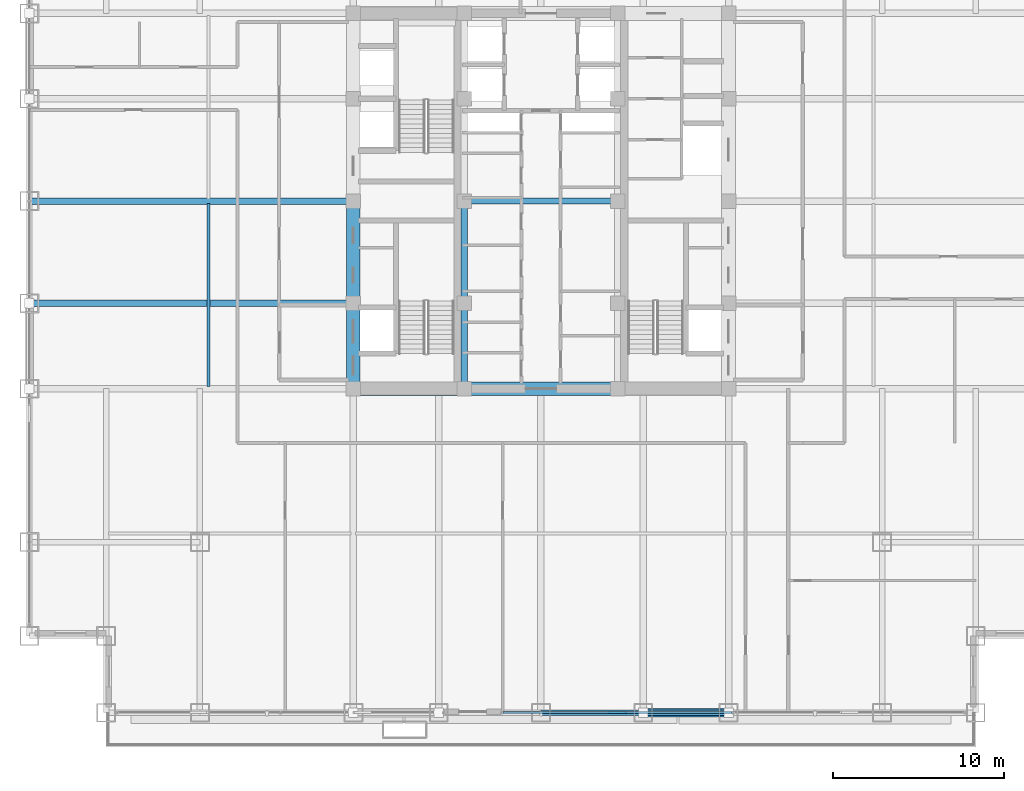
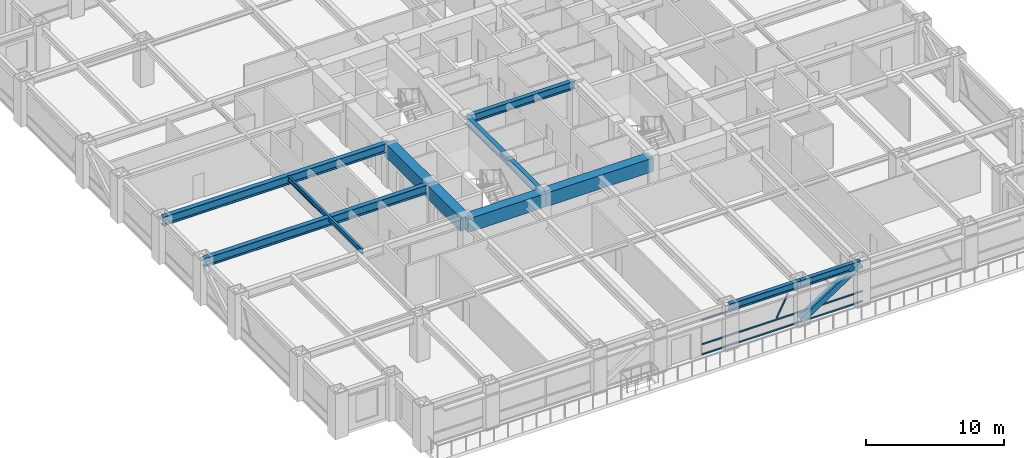
# One storey, part 8 of 35: 12 beams, 5 members, 1 element without a shape of its own.
"""IFC4 building model written with IfcOpenShell, lengths in metres."""

from ifc_helpers import new_model, si_unit, direction, frame, origin, origin_2d, place, context, subcontext, project, spatial, rectangle, hollow_rectangle, i_section, extrude, source, transform, mapped, material, material_profile, profile_set, type_object, element, aggregate, save


model = new_model("IFC4")

# Units and contexts
model_context = context("Model", 3, precision=1e-05, world=origin(), true_north=direction((0.0, 1.0)))
body_context = subcontext(model_context, "Body", "Model", "MODEL_VIEW")
ifc_project = project(units=[si_unit("LENGTHUNIT", "METRE"), si_unit("AREAUNIT", "SQUARE_METRE"), si_unit("VOLUMEUNIT", "CUBIC_METRE"), si_unit("PLANEANGLEUNIT", "RADIAN"), si_unit("MASSUNIT", "GRAM", prefix="KILO")], contexts=[model_context])

# Site, building, storey
site_placement = place(None, origin())
site = spatial("IfcSite", under=ifc_project, at=site_placement, CompositionType="ELEMENT")
building_placement = place(site_placement, origin())
building = spatial("IfcBuilding", under=site, at=building_placement, Name="Khorayat Bourse Tower", CompositionType="ELEMENT")
storey_placement = place(building_placement, frame((0.0, 0.0, 155.10009765625)))
storey = spatial("IfcBuildingStorey", under=building, at=storey_placement, Name="L35", CompositionType="ELEMENT", Elevation=155.10009765625)

# Beams
ifc_material_1 = material(Name="Concrete C72/90", Category="concrete")
ifc_material_profile_1 = material_profile(ifc_material_1, rectangle(XDim=0.800048828125, YDim=1.199951171875, at=origin_2d()), Name="RC 800x1200")
ifc_profile_set_1 = profile_set([ifc_material_profile_1], Name="Concrete C72/90")
beam_type_1 = type_object("IfcBeamType", Name="BM-COUP-1200", PredefinedType="BEAM", material=ifc_profile_set_1)
shared_shape_1 = source(origin(), body_context, "Body", "SweptSolid", [
    extrude(rectangle(XDim=0.800048828125, YDim=1.199951171875, at=origin_2d()), origin(), (0.0, 0.0, 1.0), 5.0),
])
beam_1_placement = place(storey_placement, frame((-11.0, -11.0, 3.179931640625), z_axis=(0.0, 1.0, 0.0), x_axis=(-1.0, 0.0, 0.0)))
element("IfcBeam", 1, at=beam_1_placement, inside=storey, type_object=beam_type_1, Name="L35 BM-COUP-1200 BM-L35-CRX-01", PredefinedType="BEAM", context=body_context, shape_type="MappedRepresentation", body=[
    mapped(shared_shape_1, transform((0.0, 0.0, 0.0), scale=1.0)),
])
shared_shape_2 = source(origin(), body_context, "Body", "SweptSolid", [
    extrude(rectangle(XDim=0.800048828125, YDim=1.199951171875, at=origin_2d()), origin(), (0.0, 0.0, 1.0), 6.0),
])
beam_2_placement = place(storey_placement, frame((-11.0, -6.0, 3.179931640625), z_axis=(0.0, 1.0, 0.0), x_axis=(-1.0, 0.0, 0.0)))
element("IfcBeam", 2, at=beam_2_placement, inside=storey, type_object=beam_type_1, Name="L35 BM-COUP-1200 BM-L35-CRX-02", PredefinedType="BEAM", context=body_context, shape_type="MappedRepresentation", body=[
    mapped(shared_shape_2, transform((0.0, 0.0, 0.0), scale=1.0)),
])
ifc_material_2 = material(Name="Steel ASTM A992 Grade 50", Category="steel")
ifc_material_profile_2 = material_profile(ifc_material_2, i_section(OverallWidth=0.35498046875, OverallDepth=0.695068359375, WebThickness=0.015380859375, FlangeThickness=0.02490234375, FilletRadius=0.01806640625, at=origin_2d()), Name="W690X217")
ifc_profile_set_2 = profile_set([ifc_material_profile_2], Name="Steel ASTM A992 Grade 50")
beam_type_2 = type_object("IfcBeamType", Name="BM-GIRD-690", PredefinedType="BEAM", material=ifc_profile_set_2)
shared_shape_3 = source(origin(), body_context, "Body", "SweptSolid", [
    extrude(i_section(OverallWidth=0.35498046875, OverallDepth=0.695068359375, WebThickness=0.015380859375, FlangeThickness=0.02490234375, FilletRadius=0.01806640625, at=origin_2d()), origin(), (0.0, 0.0, 1.0), 5.0),
])
beam_3_placement = place(storey_placement, frame((-4.5, -11.0, 3.432373046875), z_axis=(0.0, 1.0, 0.0), x_axis=(-1.0, 0.0, 0.0)))
element("IfcBeam", 3, at=beam_3_placement, inside=storey, type_object=beam_type_2, Name="L35 BM-GIRD-690 BM-L35-CRX-05", PredefinedType="BEAM", context=body_context, shape_type="MappedRepresentation", body=[
    mapped(shared_shape_3, transform((0.0, 0.0, 0.0), scale=1.0)),
])
shared_shape_4 = source(origin(), body_context, "Body", "SweptSolid", [
    extrude(i_section(OverallWidth=0.35498046875, OverallDepth=0.695068359375, WebThickness=0.015380859375, FlangeThickness=0.02490234375, FilletRadius=0.01806640625, at=origin_2d()), origin(), (0.0, 0.0, 1.0), 6.0),
])
beam_4_placement = place(storey_placement, frame((-4.5, -6.0, 3.432373046875), z_axis=(0.0, 1.0, 0.0), x_axis=(-1.0, 0.0, 0.0)))
element("IfcBeam", 4, at=beam_4_placement, inside=storey, type_object=beam_type_2, Name="L35 BM-GIRD-690 BM-L35-CRX-06", PredefinedType="BEAM", context=body_context, shape_type="MappedRepresentation", body=[
    mapped(shared_shape_4, transform((0.0, 0.0, 0.0), scale=1.0)),
])
shared_shape_5 = source(origin(), body_context, "Body", "SweptSolid", [
    extrude(rectangle(XDim=0.800048828125, YDim=1.199951171875, at=origin_2d()), origin(), (0.0, 0.0, 1.0), 6.5),
])
beam_5_placement = place(storey_placement, frame((-11.0, -11.0, 3.179931640625), z_axis=(1.0, 0.0, 0.0), x_axis=(0.0, 1.0, 0.0)))
element("IfcBeam", 5, at=beam_5_placement, inside=storey, type_object=beam_type_1, Name="L35 BM-COUP-1200 BM-L35-CRY-17", PredefinedType="BEAM", context=body_context, shape_type="MappedRepresentation", body=[
    mapped(shared_shape_5, transform((0.0, 0.0, 0.0), scale=1.0)),
])
shared_shape_6 = source(origin(), body_context, "Body", "SweptSolid", [
    extrude(rectangle(XDim=0.800048828125, YDim=1.199951171875, at=origin_2d()), origin(), (0.0, 0.0, 1.0), 9.0),
])
beam_6_placement = place(storey_placement, frame((-4.5, -11.0, 3.179931640625), z_axis=(1.0, 0.0, 0.0), x_axis=(0.0, 1.0, 0.0)))
element("IfcBeam", 6, at=beam_6_placement, inside=storey, type_object=beam_type_1, Name="L35 BM-COUP-1200 BM-L35-CRY-18", PredefinedType="BEAM", context=body_context, shape_type="MappedRepresentation", body=[
    mapped(shared_shape_6, transform((0.0, 0.0, 0.0), scale=1.0)),
])
shared_shape_7 = source(origin(), body_context, "Body", "SweptSolid", [
    extrude(i_section(OverallWidth=0.35498046875, OverallDepth=0.695068359375, WebThickness=0.015380859375, FlangeThickness=0.02490234375, FilletRadius=0.01806640625, at=origin_2d()), origin(), (0.0, 0.0, 1.0), 9.0),
])
beam_7_placement = place(storey_placement, frame((-4.5, 0.0, 3.432373046875), z_axis=(1.0, 0.0, 0.0), x_axis=(0.0, 1.0, 0.0)))
element("IfcBeam", 7, at=beam_7_placement, inside=storey, type_object=beam_type_2, Name="L35 BM-GIRD-690 BM-L35-CRY-23", PredefinedType="BEAM", context=body_context, shape_type="MappedRepresentation", body=[
    mapped(shared_shape_7, transform((0.0, 0.0, 0.0), scale=1.0)),
])
ifc_material_profile_3 = material_profile(ifc_material_2, i_section(OverallWidth=0.381103515625, OverallDepth=0.77294921875, WebThickness=0.0166015625, FlangeThickness=0.027587890625, FilletRadius=0.01806640625, at=origin_2d()), Name="W760X257")
ifc_profile_set_3 = profile_set([ifc_material_profile_3], Name="Steel ASTM A992 Grade 50")
beam_type_3 = type_object("IfcBeamType", Name="BM-GIRD-760", PredefinedType="BEAM", material=ifc_profile_set_3)
shared_shape_8 = source(origin(), body_context, "Body", "SweptSolid", [
    extrude(i_section(OverallWidth=0.381103515625, OverallDepth=0.77294921875, WebThickness=0.0166015625, FlangeThickness=0.027587890625, FilletRadius=0.01806640625, at=origin_2d()), origin(), (0.0, 0.0, 1.0), 19.0),
])
for number, where, z_axis, x_axis, name in (
    (8, (-30.0, -6.0, 3.393310546875), (1.0, 0.0, 0.0), (0.0, 1.0, 0.0), "L35 BM-GIRD-760 BM-L35-RADX-077"),
    (9, (-30.0, 0.0, 3.393310546875), (1.0, 0.0, 0.0), (0.0, 1.0, 0.0), "L35 BM-GIRD-760 BM-L35-RADX-079"),
):
    element("IfcBeam", number, at=place(storey_placement, frame(where, z_axis=z_axis, x_axis=x_axis)), inside=storey, type_object=beam_type_3, Name=name, PredefinedType="BEAM", context=body_context, shape_type="MappedRepresentation", body=[
        mapped(shared_shape_8, transform((0.0, 0.0, 0.0), scale=1.0)),
    ])
ifc_material_profile_4 = material_profile(ifc_material_2, i_section(OverallWidth=0.180908203125, OverallDepth=0.4169921875, WebThickness=0.010986328125, FlangeThickness=0.018310546875, FilletRadius=0.011962890625, at=origin_2d()), Name="W410X85")
ifc_profile_set_4 = profile_set([ifc_material_profile_4], Name="Steel ASTM A992 Grade 50")
beam_type_4 = type_object("IfcBeamType", Name="BM-JOIST-410", PredefinedType="JOIST", material=ifc_profile_set_4)
shared_shape_9 = source(origin(), body_context, "Body", "SweptSolid", [
    extrude(i_section(OverallWidth=0.180908203125, OverallDepth=0.4169921875, WebThickness=0.010986328125, FlangeThickness=0.018310546875, FilletRadius=0.011962890625, at=origin_2d()), origin(), (0.0, 0.0, 1.0), 10.740234375),
])
beam_8_placement = place(storey_placement, frame((-19.5, -10.8701171875, 3.5712890625), z_axis=(0.0, 1.0, 0.0), x_axis=(-1.0, 0.0, 0.0)))
element("IfcBeam", 10, at=beam_8_placement, inside=storey, type_object=beam_type_4, Name="L35 BM-JOIST-410 BM-L35-JSTY-102", PredefinedType="JOIST", context=body_context, shape_type="MappedRepresentation", body=[
    mapped(shared_shape_9, transform((0.0, 0.0, 0.0), scale=1.0)),
])
ifc_material_profile_5 = material_profile(ifc_material_2, i_section(OverallWidth=0.324951171875, OverallDepth=0.615966796875, WebThickness=0.013916015625, FlangeThickness=0.021484375, FilletRadius=0.01611328125, at=origin_2d()), Name="W610X174")
ifc_profile_set_5 = profile_set([ifc_material_profile_5], Name="Steel ASTM A992 Grade 50")
beam_type_5 = type_object("IfcBeamType", Name="BM-SPAN-610", PredefinedType="SPANDREL", material=ifc_profile_set_5)
shared_shape_10 = source(origin(), body_context, "Body", "SweptSolid", [
    extrude(i_section(OverallWidth=0.324951171875, OverallDepth=0.615966796875, WebThickness=0.013916015625, FlangeThickness=0.021484375, FilletRadius=0.01611328125, at=origin_2d()), origin(), (0.0, 0.0, 1.0), 5.0),
])
beam_9_placement = place(storey_placement, frame((6.0, -30.0, 3.471923828125), z_axis=(1.0, 0.0, 0.0), x_axis=(0.0, 1.0, 0.0)))
element("IfcBeam", 11, at=beam_9_placement, inside=storey, type_object=beam_type_5, Name="L35 BM-SPAN-610 BM-L35-SPN-029", PredefinedType="SPANDREL", context=body_context, shape_type="MappedRepresentation", body=[
    mapped(shared_shape_10, transform((0.0, 0.0, 0.0), scale=1.0)),
])
shared_shape_11 = source(origin(), body_context, "Body", "SweptSolid", [
    extrude(i_section(OverallWidth=0.324951171875, OverallDepth=0.615966796875, WebThickness=0.013916015625, FlangeThickness=0.021484375, FilletRadius=0.01611328125, at=origin_2d()), origin(), (0.0, 0.0, 1.0), 6.0),
])
beam_10_placement = place(storey_placement, frame((0.0, -30.0, 3.471923828125), z_axis=(1.0, 0.0, 0.0), x_axis=(0.0, 1.0, 0.0)))
element("IfcBeam", 12, at=beam_10_placement, inside=storey, type_object=beam_type_5, Name="L35 BM-SPAN-610 BM-L35-SPN-028", PredefinedType="SPANDREL", context=body_context, shape_type="MappedRepresentation", body=[
    mapped(shared_shape_11, transform((0.0, 0.0, 0.0), scale=1.0)),
])

# Member
ifc_material_3 = material(Name="Steel EN 10025-4 S460M", Category="steel")
ifc_material_profile_6 = material_profile(ifc_material_3, hollow_rectangle(XDim=0.5, YDim=0.5, WallThickness=0.028076171875, at=origin_2d()), Name="HSS 500x500x28")
ifc_profile_set_6 = profile_set([ifc_material_profile_6], Name="Steel EN 10025-4 S460M")
member_type_1 = type_object("IfcMemberType", Name="MBR-TUBE-500", PredefinedType="BRACE", material=ifc_profile_set_6)
shared_shape_12 = source(origin(), body_context, "Body", "SweptSolid", [
    extrude(hollow_rectangle(XDim=0.5, YDim=0.5, WallThickness=0.028076171875, at=origin_2d()), origin(), (0.0, 0.0, 1.0), 5.979736328125),
])
member_1_placement = place(storey_placement, frame((6.0, -30.0, 0.25), z_axis=(0.836160261256, 0.0, 0.548485202623), x_axis=(0.0, 1.0, 0.0)))
element("IfcMember", 13, at=member_1_placement, inside=storey, type_object=member_type_1, Name="L35 Perimeter Tube Brace 02", PredefinedType="BRACE", context=body_context, shape_type="MappedRepresentation", body=[
    mapped(shared_shape_12, transform((0.0, 0.0, 0.0), scale=1.0)),
])

# Curtain wall, members
ifc_material_4 = material(Name="Aluminium EN AW-6063 T6", Category="aluminium")
curtain_wall_type = type_object("IfcCurtainWallType", Name="CW-SYS-03", PredefinedType="NOTDEFINED", material=ifc_material_4)
curtain_wall_placement = place(storey_placement, origin())
curtain_wall = element("IfcCurtainWall", 14, at=curtain_wall_placement, inside=storey, type_object=curtain_wall_type, Name="L35 Curtain Wall CW-L35-S2", PredefinedType="NOTDEFINED")
ifc_material_profile_7 = material_profile(ifc_material_4, hollow_rectangle(XDim=0.1201171875, YDim=0.1201171875, WallThickness=0.0048828125, at=origin_2d()), Name="ALU 120x120x5")
ifc_profile_set_7 = profile_set([ifc_material_profile_7], Name="Aluminium EN AW-6063 T6")
member_type_2 = type_object("IfcMemberType", Name="CWM-DIAG-120", PredefinedType="MULLION", material=ifc_profile_set_7)
shared_shape_13 = source(origin(), body_context, "Body", "SweptSolid", [
    extrude(hollow_rectangle(XDim=0.1201171875, YDim=0.1201171875, WallThickness=0.0048828125, at=origin_2d()), origin(), (0.0, 0.0, 1.0), 2.079345703125),
])
member_2_placement = place(storey_placement, frame((4.00830078125, -30.0, 1.08984375), z_axis=(0.465760949701, 0.0, 0.884910581773), x_axis=(0.0, 1.0, 0.0)))
member_2 = element("IfcMember", 15, at=member_2_placement, type_object=member_type_2, Name="CW-L35-S2 Faceted Diagonal Mullion 1", PredefinedType="MULLION", context=body_context, shape_type="MappedRepresentation", body=[
    mapped(shared_shape_13, transform((0.0, 0.0, 0.0), scale=1.0)),
])
ifc_material_profile_8 = material_profile(ifc_material_4, hollow_rectangle(XDim=0.1201171875, YDim=0.1201171875, WallThickness=0.0048828125, at=origin_2d()), Name="ALU 120x120x5")
ifc_profile_set_8 = profile_set([ifc_material_profile_8], Name="Aluminium EN AW-6063 T6")
member_type_3 = type_object("IfcMemberType", Name="CWT-HORZ-120", PredefinedType="USERDEFINED", material=ifc_profile_set_8)
shared_shape_14 = source(origin(), body_context, "Body", "SweptSolid", [
    extrude(hollow_rectangle(XDim=0.1201171875, YDim=0.1201171875, WallThickness=0.0048828125, at=origin_2d()), origin(), (0.0, 0.0, 1.0), 13.445068359375),
])
member_3_placement = place(storey_placement, frame((-2.22998046875, -30.0, 0.059814453125), z_axis=(1.0, 0.0, 0.0), x_axis=(0.0, 1.0, 0.0)))
member_3 = element("IfcMember", 16, at=member_3_placement, type_object=member_type_3, Name="CW-L35-S2 Horizontal Transom 1-1", ObjectType="TRANSOM", PredefinedType="USERDEFINED", context=body_context, shape_type="MappedRepresentation", body=[
    mapped(shared_shape_14, transform((0.0, 0.0, 0.0), scale=1.0)),
])
member_4_placement = place(storey_placement, frame((-2.22998046875, -30.0, 0.949951171875), z_axis=(1.0, 0.0, 0.0), x_axis=(0.0, 1.0, 0.0)))
member_4 = element("IfcMember", 17, at=member_4_placement, type_object=member_type_3, Name="CW-L35-S2 Horizontal Transom 1-2", ObjectType="TRANSOM", PredefinedType="USERDEFINED", context=body_context, shape_type="MappedRepresentation", body=[
    mapped(shared_shape_14, transform((0.0, 0.0, 0.0), scale=1.0)),
])
member_5_placement = place(storey_placement, frame((-2.22998046875, -30.0, 3.06982421875), z_axis=(1.0, 0.0, 0.0), x_axis=(0.0, 1.0, 0.0)))
member_5 = element("IfcMember", 18, at=member_5_placement, type_object=member_type_3, Name="CW-L35-S2 Horizontal Transom 1-3", ObjectType="TRANSOM", PredefinedType="USERDEFINED", context=body_context, shape_type="MappedRepresentation", body=[
    mapped(shared_shape_14, transform((0.0, 0.0, 0.0), scale=1.0)),
])
aggregate(curtain_wall, [member_3, member_4, member_5, member_2])

save(model, "model.ifc")
